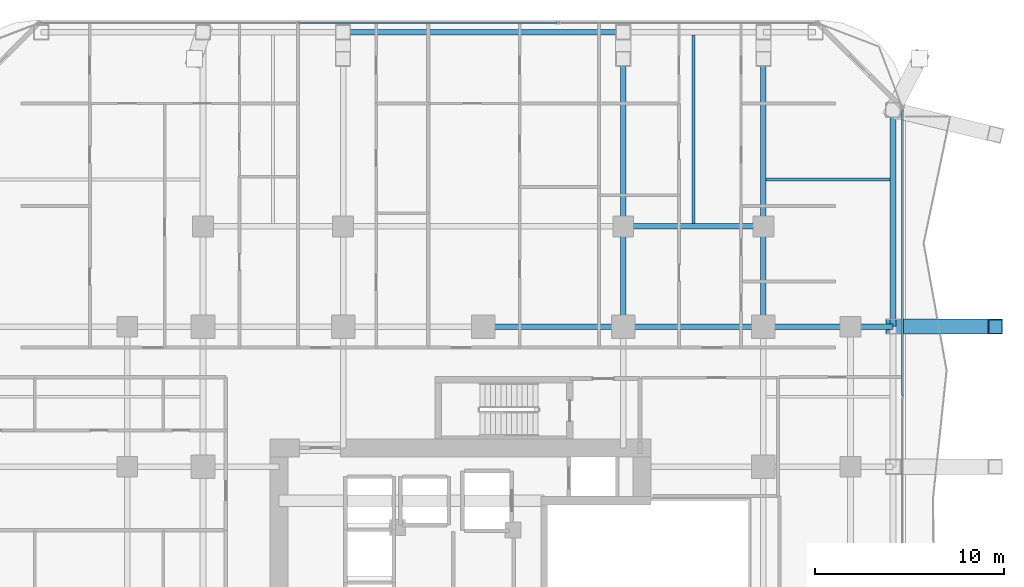
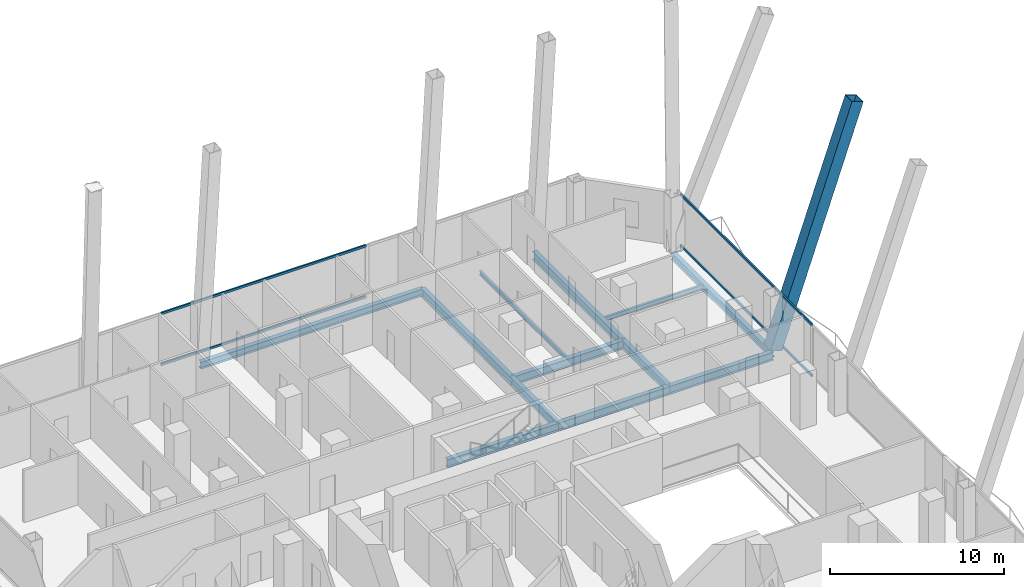
# One storey, part 19 of 32: 13 beams, 5 members, 2 elements without a shape of their own.
"""IFC4 building model written with IfcOpenShell, lengths in metres."""

from ifc_helpers import new_model, si_unit, direction, frame, origin, origin_2d, place, context, subcontext, project, spatial, hollow_rectangle, i_section, extrude, material, layer, layer_set, material_profile, profile_set, type_object, element, aggregate, save


model = new_model("IFC4")

# Units and contexts
model_context = context("Model", 3, precision=1e-05, world=origin(), true_north=direction((0.0, 1.0)))
body_context = subcontext(model_context, "Body", "Model", "MODEL_VIEW")
ifc_project = project(units=[si_unit("LENGTHUNIT", "METRE"), si_unit("AREAUNIT", "SQUARE_METRE"), si_unit("VOLUMEUNIT", "CUBIC_METRE"), si_unit("PLANEANGLEUNIT", "RADIAN"), si_unit("MASSUNIT", "GRAM", prefix="KILO")], contexts=[model_context])

# Site, building, storey
site_placement = place(None, origin())
site = spatial("IfcSite", under=ifc_project, at=site_placement, CompositionType="ELEMENT")
building_placement = place(site_placement, origin())
building = spatial("IfcBuilding", under=site, at=building_placement, Name="Khorvyn Point Tower", CompositionType="ELEMENT")
storey_placement = place(building_placement, frame((0.0, 0.0, 93.0)))
storey = spatial("IfcBuildingStorey", under=building, at=storey_placement, Name="L23", CompositionType="ELEMENT", Elevation=93.0)

# Curtain wall, members
ifc_material_1 = material(Name="Anodised aluminium 6063-T6 and laminated Low-E glass", Category="aluminium")
ifc_layer = layer(ifc_material_1, 0.18994140625)
ifc_layer_set = layer_set([ifc_layer], Name="Stick-Built Finned Residential Curtain Wall CW-SYS-02")
curtain_wall_type = type_object("IfcCurtainWallType", Name="Stick-Built Finned Residential Curtain Wall CW-SYS-02", PredefinedType="NOTDEFINED", material=ifc_layer_set)
curtain_wall_1_placement = place(storey_placement, origin())
curtain_wall_1 = element("IfcCurtainWall", 1, at=curtain_wall_1_placement, inside=storey, type_object=curtain_wall_type, Name="Curtain Wall", PredefinedType="NOTDEFINED")
ifc_material_2 = material(Name="Anodised aluminium 6063-T6", Category="aluminium")
ifc_material_profile_1 = material_profile(ifc_material_2, hollow_rectangle(XDim=0.10009765625, YDim=0.159912109375, WallThickness=0.00439453125, at=origin_2d()))
ifc_profile_set_1 = profile_set([ifc_material_profile_1], Name="Anodised aluminium 6063-T6 ALU-TRN-100x160")
member_type_1 = type_object("IfcMemberType", Name="Anodised Aluminium 6063-T6 Transom ALU-TRN-100x160", PredefinedType="USERDEFINED", material=ifc_profile_set_1)
member_1_placement = place(storey_placement, frame((-9.699951171875, 30.85009765625, 0.050048828125), z_axis=(1.0, 0.0, 0.0), x_axis=(0.0, 1.0, 0.0)))
member_1 = element("IfcMember", 2, at=member_1_placement, type_object=member_type_1, Name="Transom", ObjectType="TRANSOM", PredefinedType="USERDEFINED", context=body_context, shape_type="SweptSolid", body=[
    extrude(hollow_rectangle(XDim=0.10009765625, YDim=0.159912109375, WallThickness=0.00439453125, at=origin_2d()), origin(), (0.0, 0.0, 1.0), 13.599853515625),
])
member_2_placement = place(storey_placement, frame((-9.699951171875, 30.85009765625, 3.6298828125), z_axis=(1.0, 0.0, 0.0), x_axis=(0.0, 1.0, 0.0)))
member_2 = element("IfcMember", 3, at=member_2_placement, type_object=member_type_1, Name="Transom", ObjectType="TRANSOM", PredefinedType="USERDEFINED", context=body_context, shape_type="SweptSolid", body=[
    extrude(hollow_rectangle(XDim=0.10009765625, YDim=0.159912109375, WallThickness=0.00439453125, at=origin_2d()), origin(), (0.0, 0.0, 1.0), 13.599853515625),
])
aggregate(curtain_wall_1, [member_1, member_2])

curtain_wall_2_placement = place(storey_placement, origin())
curtain_wall_2 = element("IfcCurtainWall", 4, at=curtain_wall_2_placement, inside=storey, type_object=curtain_wall_type, Name="Curtain Wall", PredefinedType="NOTDEFINED")
member_3_placement = place(storey_placement, frame((22.14990234375, 26.25, 0.050048828125), z_axis=(0.0, -1.0, 0.0), x_axis=(1.0, 0.0, 0.0)))
member_3 = element("IfcMember", 5, at=member_3_placement, type_object=member_type_1, Name="Transom", ObjectType="TRANSOM", PredefinedType="USERDEFINED", context=body_context, shape_type="SweptSolid", body=[
    extrude(hollow_rectangle(XDim=0.10009765625, YDim=0.159912109375, WallThickness=0.00439453125, at=origin_2d()), origin(), (0.0, 0.0, 1.0), 15.080078125),
])
member_4_placement = place(storey_placement, frame((22.14990234375, 26.25, 3.6298828125), z_axis=(0.0, -1.0, 0.0), x_axis=(1.0, 0.0, 0.0)))
member_4 = element("IfcMember", 6, at=member_4_placement, type_object=member_type_1, Name="Transom", ObjectType="TRANSOM", PredefinedType="USERDEFINED", context=body_context, shape_type="SweptSolid", body=[
    extrude(hollow_rectangle(XDim=0.10009765625, YDim=0.159912109375, WallThickness=0.00439453125, at=origin_2d()), origin(), (0.0, 0.0, 1.0), 15.080078125),
])
aggregate(curtain_wall_2, [member_3, member_4])

# Beams
ifc_material_3 = material(Name="Steel S355", Category="steel")
ifc_material_profile_2 = material_profile(ifc_material_3, i_section(OverallWidth=0.300048828125, OverallDepth=0.587890625, WebThickness=0.011962890625, FlangeThickness=0.02001953125, at=origin_2d()))
ifc_profile_set_2 = profile_set([ifc_material_profile_2], Name="Steel S355 H588x300x12x20")
beam_type_1 = type_object("IfcBeamType", Name="Steel S355 Beam H588x300x12x20", PredefinedType="BEAM", material=ifc_profile_set_2)
beam_1_placement = place(storey_placement, frame((0.0, 14.800048828125, -0.513916015625), z_axis=(1.0, 0.0, 0.0), x_axis=(0.0, 1.0, 0.0)))
element("IfcBeam", 7, at=beam_1_placement, inside=storey, type_object=beam_type_1, Name="Beam", PredefinedType="BEAM", context=body_context, shape_type="SweptSolid", body=[
    extrude(i_section(OverallWidth=0.300048828125, OverallDepth=0.587890625, WebThickness=0.011962890625, FlangeThickness=0.02001953125, at=origin_2d()), origin(), (0.0, 0.0, 1.0), 7.39990234375),
])
beam_2_placement = place(storey_placement, frame((7.39990234375, 14.800048828125, -0.513916015625), z_axis=(1.0, 0.0, 0.0), x_axis=(0.0, 1.0, 0.0)))
element("IfcBeam", 8, at=beam_2_placement, inside=storey, type_object=beam_type_1, Name="Beam", PredefinedType="BEAM", context=body_context, shape_type="SweptSolid", body=[
    extrude(i_section(OverallWidth=0.300048828125, OverallDepth=0.587890625, WebThickness=0.011962890625, FlangeThickness=0.02001953125, at=origin_2d()), origin(), (0.0, 0.0, 1.0), 7.400146484375),
])
beam_3_placement = place(storey_placement, frame((14.800048828125, 14.800048828125, -0.513916015625), z_axis=(1.0, 0.0, 0.0), x_axis=(0.0, 1.0, 0.0)))
element("IfcBeam", 9, at=beam_3_placement, inside=storey, type_object=beam_type_1, Name="Beam", PredefinedType="BEAM", context=body_context, shape_type="SweptSolid", body=[
    extrude(i_section(OverallWidth=0.300048828125, OverallDepth=0.587890625, WebThickness=0.011962890625, FlangeThickness=0.02001953125, at=origin_2d()), origin(), (0.0, 0.0, 1.0), 4.599853515625),
])
beam_4_placement = place(storey_placement, frame((19.39990234375, 14.800048828125, -0.513916015625), z_axis=(1.0, 0.0, 0.0), x_axis=(0.0, 1.0, 0.0)))
element("IfcBeam", 10, at=beam_4_placement, inside=storey, type_object=beam_type_1, Name="Beam", PredefinedType="BEAM", context=body_context, shape_type="SweptSolid", body=[
    extrude(i_section(OverallWidth=0.300048828125, OverallDepth=0.587890625, WebThickness=0.011962890625, FlangeThickness=0.02001953125, at=origin_2d()), origin(), (0.0, 0.0, 1.0), 2.25),
])
beam_5_placement = place(storey_placement, frame((7.39990234375, 20.10009765625, -0.513916015625), z_axis=(1.0, 0.0, 0.0), x_axis=(0.0, 1.0, 0.0)))
element("IfcBeam", 11, at=beam_5_placement, inside=storey, type_object=beam_type_1, Name="Beam", PredefinedType="BEAM", context=body_context, shape_type="SweptSolid", body=[
    extrude(i_section(OverallWidth=0.300048828125, OverallDepth=0.587890625, WebThickness=0.011962890625, FlangeThickness=0.02001953125, at=origin_2d()), origin(), (0.0, 0.0, 1.0), 7.400146484375),
])
beam_6_placement = place(storey_placement, frame((14.800048828125, 14.800048828125, -0.513916015625), z_axis=(0.0, 1.0, 0.0), x_axis=(-1.0, 0.0, 0.0)))
element("IfcBeam", 12, at=beam_6_placement, inside=storey, type_object=beam_type_1, Name="Beam", PredefinedType="BEAM", context=body_context, shape_type="SweptSolid", body=[
    extrude(i_section(OverallWidth=0.300048828125, OverallDepth=0.587890625, WebThickness=0.011962890625, FlangeThickness=0.02001953125, at=origin_2d()), origin(), (0.0, 0.0, 1.0), 5.300048828125),
])
beam_7_placement = place(storey_placement, frame((14.800048828125, 20.10009765625, -0.513916015625), z_axis=(0.0, 1.0, 0.0), x_axis=(-1.0, 0.0, 0.0)))
element("IfcBeam", 13, at=beam_7_placement, inside=storey, type_object=beam_type_1, Name="Beam", PredefinedType="BEAM", context=body_context, shape_type="SweptSolid", body=[
    extrude(i_section(OverallWidth=0.300048828125, OverallDepth=0.587890625, WebThickness=0.011962890625, FlangeThickness=0.02001953125, at=origin_2d()), origin(), (0.0, 0.0, 1.0), 10.25),
])
beam_8_placement = place(storey_placement, frame((7.39990234375, 14.800048828125, -0.513916015625), z_axis=(0.0, 1.0, 0.0), x_axis=(-1.0, 0.0, 0.0)))
element("IfcBeam", 14, at=beam_8_placement, inside=storey, type_object=beam_type_1, Name="Beam", PredefinedType="BEAM", context=body_context, shape_type="SweptSolid", body=[
    extrude(i_section(OverallWidth=0.300048828125, OverallDepth=0.587890625, WebThickness=0.011962890625, FlangeThickness=0.02001953125, at=origin_2d()), origin(), (0.0, 0.0, 1.0), 5.300048828125),
])
beam_9_placement = place(storey_placement, frame((7.39990234375, 20.10009765625, -0.513916015625), z_axis=(0.0, 1.0, 0.0), x_axis=(-1.0, 0.0, 0.0)))
element("IfcBeam", 15, at=beam_9_placement, inside=storey, type_object=beam_type_1, Name="Beam", PredefinedType="BEAM", context=body_context, shape_type="SweptSolid", body=[
    extrude(i_section(OverallWidth=0.300048828125, OverallDepth=0.587890625, WebThickness=0.011962890625, FlangeThickness=0.02001953125, at=origin_2d()), origin(), (0.0, 0.0, 1.0), 10.25),
])
ifc_material_profile_3 = material_profile(ifc_material_3, i_section(OverallWidth=0.14990234375, OverallDepth=0.300048828125, WebThickness=0.006591796875, FlangeThickness=0.009033203125, at=origin_2d()))
ifc_profile_set_3 = profile_set([ifc_material_profile_3], Name="Steel S355 H300x150x6.5x9")
beam_type_2 = type_object("IfcBeamType", Name="Steel S355 Joist H300x150x6.5x9", PredefinedType="JOIST", material=ifc_profile_set_3)
beam_10_placement = place(storey_placement, frame((11.10009765625, 20.25, -0.3701171875), z_axis=(0.0, 1.0, 0.0), x_axis=(-1.0, 0.0, 0.0)))
element("IfcBeam", 16, at=beam_10_placement, inside=storey, type_object=beam_type_2, Name="Beam", PredefinedType="JOIST", context=body_context, shape_type="SweptSolid", body=[
    extrude(i_section(OverallWidth=0.14990234375, OverallDepth=0.300048828125, WebThickness=0.006591796875, FlangeThickness=0.009033203125, at=origin_2d()), origin(), (0.0, 0.0, 1.0), 9.949951171875),
])
beam_11_placement = place(storey_placement, frame((14.949951171875, 22.574951171875, -0.3701171875), z_axis=(1.0, 0.0, 0.0), x_axis=(0.0, 1.0, 0.0)))
element("IfcBeam", 17, at=beam_11_placement, inside=storey, type_object=beam_type_2, Name="Beam", PredefinedType="JOIST", context=body_context, shape_type="SweptSolid", body=[
    extrude(i_section(OverallWidth=0.14990234375, OverallDepth=0.300048828125, WebThickness=0.006591796875, FlangeThickness=0.009033203125, at=origin_2d()), origin(), (0.0, 0.0, 1.0), 6.550048828125),
])
ifc_material_profile_4 = material_profile(ifc_material_3, i_section(OverallWidth=0.300048828125, OverallDepth=0.488037109375, WebThickness=0.010986328125, FlangeThickness=0.01806640625, at=origin_2d()))
ifc_profile_set_4 = profile_set([ifc_material_profile_4], Name="Steel S355 H488x300x11x18")
beam_type_3 = type_object("IfcBeamType", Name="Steel S355 Spandrel H488x300x11x18", PredefinedType="SPANDREL", material=ifc_profile_set_4)
beam_12_placement = place(storey_placement, frame((-7.39990234375, 30.35009765625, -0.464111328125), z_axis=(1.0, 0.0, 0.0), x_axis=(0.0, 1.0, 0.0)))
element("IfcBeam", 18, at=beam_12_placement, inside=storey, type_object=beam_type_3, Name="Beam", PredefinedType="SPANDREL", context=body_context, shape_type="SweptSolid", body=[
    extrude(i_section(OverallWidth=0.300048828125, OverallDepth=0.488037109375, WebThickness=0.010986328125, FlangeThickness=0.01806640625, at=origin_2d()), origin(), (0.0, 0.0, 1.0), 14.7998046875),
])
beam_13_placement = place(storey_placement, frame((21.64990234375, 14.800048828125, -0.464111328125), z_axis=(0.0, 1.0, 0.0), x_axis=(-1.0, 0.0, 0.0)))
element("IfcBeam", 19, at=beam_13_placement, inside=storey, type_object=beam_type_3, Name="Beam", PredefinedType="SPANDREL", context=body_context, shape_type="SweptSolid", body=[
    extrude(i_section(OverallWidth=0.300048828125, OverallDepth=0.488037109375, WebThickness=0.010986328125, FlangeThickness=0.01806640625, at=origin_2d()), origin(), (0.0, 0.0, 1.0), 11.449951171875),
])

# Member
ifc_material_4 = material(Name="Steel S450", Category="steel")
ifc_material_profile_5 = material_profile(ifc_material_4, hollow_rectangle(XDim=0.800048828125, YDim=0.800048828125, WallThickness=0.035888671875, at=origin_2d()))
ifc_profile_set_5 = profile_set([ifc_material_profile_5], Name="Steel S450 BOX800x800x36")
member_type_2 = type_object("IfcMemberType", Name="Steel S450 Exoskeleton Structural Post BOX800x800x36", PredefinedType="POST", material=ifc_profile_set_5)
member_5_placement = place(storey_placement, frame((21.64990234375, 14.800048828125, 0.0), z_axis=(0.327116659188, 0.0, 0.944983963505), x_axis=(0.0, 1.0, 0.0)))
element("IfcMember", 20, at=member_5_placement, inside=storey, type_object=member_type_2, Name="L23 to L27 Exoskeleton Transfer Post 13", PredefinedType="POST", context=body_context, shape_type="SweptSolid", body=[
    extrude(hollow_rectangle(XDim=0.800048828125, YDim=0.800048828125, WallThickness=0.035888671875, at=origin_2d()), origin(), (0.0, 0.0, 1.0), 16.50830078125),
])

save(model, "model.ifc")
